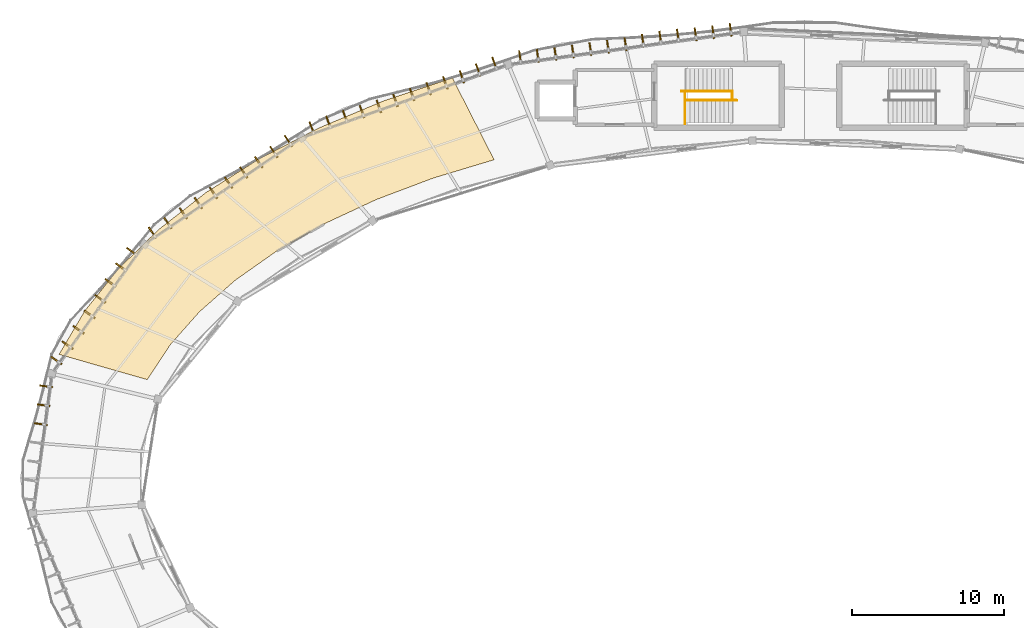
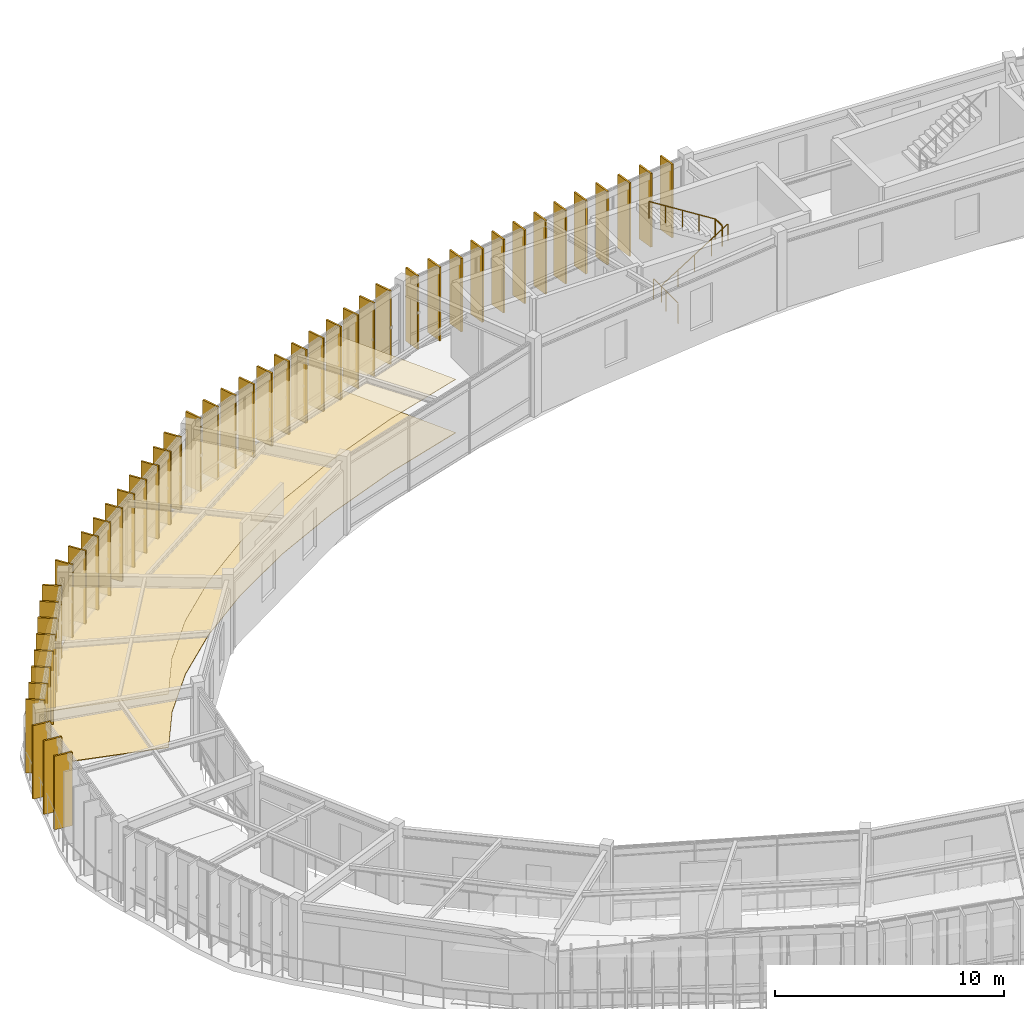
# One storey, part 76 of 78: 46 shading devices, 4 railings, 2 coverings.
"""IFC4 building model written with IfcOpenShell, lengths in metres."""

import ifcopenshell
import ifcopenshell.guid

model = None  # the IFC model being written
_history = None  # IfcOwnerHistory: only IFC2X3 demands one
_inside = {}  # id of a spatial element -> (the spatial element, [elements in it])
_under = {}  # id of a project, library or spatial element -> (it, [spatial elements below it])
_declared = {}  # id of a project -> (the project, [libraries it declares])
_typed = {}  # id of a type object -> (the type object, [elements of that type])
_made_of = {}  # id of a material, layer set ... -> (it, [elements and type objects made of it])


def new_model(schema):
    """Start an empty IFC model of exactly this schema.

    Asked for "IFC4X3", IfcOpenShell would pick the latest addendum, in which some entities
    have other attributes; the version numbers below select the first issue.
    IFC2X3 requires an IfcOwnerHistory on every rooted entity: one is made here for all.
    """
    global model, _history
    if schema == "IFC4X3":
        model = ifcopenshell.file(schema_version=(4, 3, 0, 0))
    else:
        model = ifcopenshell.file(schema=schema)
    _inside.clear()
    _under.clear()
    _declared.clear()
    _typed.clear()
    _made_of.clear()
    _history = None
    if model.schema == "IFC2X3":
        org = make("IfcOrganization", Name="unknown")
        user = make(
            "IfcPersonAndOrganization",
            ThePerson=make("IfcPerson", FamilyName="unknown"),
            TheOrganization=org,
        )
        app = make(
            "IfcApplication",
            ApplicationDeveloper=org,
            Version="unknown",
            ApplicationFullName="unknown",
            ApplicationIdentifier="unknown",
        )
        _history = make(
            "IfcOwnerHistory",
            OwningUser=user,
            OwningApplication=app,
            ChangeAction="ADDED",
            CreationDate=0,
        )
    return model


def make(cls, **values):
    """One entity of the class cls with the attributes given. An attribute that is None is left unset."""
    return model.create_entity(
        cls, **{name: value for name, value in values.items() if value is not None}
    )


def rooted(cls, **values):
    """An entity with a GlobalId (a new one), such as an element, a storey or a relation."""
    return make(cls, GlobalId=ifcopenshell.guid.new(), OwnerHistory=_history, **values)


def si_unit(unit_type, name, prefix=None):
    """IfcSIUnit, for example si_unit("LENGTHUNIT", "METRE", prefix="MILLI")."""
    return make("IfcSIUnit", UnitType=unit_type, Prefix=prefix, Name=name)


def assignment(units):
    """IfcUnitAssignment: the units of a project."""
    return None if units is None else make("IfcUnitAssignment", Units=units)


def point(xyz):
    """IfcCartesianPoint."""
    return None if xyz is None else make("IfcCartesianPoint", Coordinates=xyz)


def direction(xyz):
    """IfcDirection."""
    return None if xyz is None else make("IfcDirection", DirectionRatios=xyz)


def frame(location, z_axis=None, x_axis=None):
    """IfcAxis2Placement3D, a coordinate frame: its origin and axes. An axis left out is left unset."""
    return make(
        "IfcAxis2Placement3D",
        Location=point(location),
        Axis=direction(z_axis),
        RefDirection=direction(x_axis),
    )


def frame_2d(location, x_axis=None):
    """IfcAxis2Placement2D, a coordinate frame in the plane: its origin and x axis."""
    return make(
        "IfcAxis2Placement2D", Location=point(location), RefDirection=direction(x_axis)
    )


def origin():
    """The frame at (0, 0, 0) with its axes left unset."""
    return frame((0.0, 0.0, 0.0))


def origin_2d():
    """The frame at (0, 0) in the plane with its x axis left unset."""
    return frame_2d((0.0, 0.0))


def place(relative_to, where):
    """IfcLocalPlacement: puts the frame where relative to a parent placement (None: the world)."""
    return make(
        "IfcLocalPlacement", PlacementRelTo=relative_to, RelativePlacement=where
    )


def context(
    kind, dimensions, precision=None, world=None, true_north=None, identifier=None
):
    """IfcGeometricRepresentationContext, for example the 3D "Model" context."""
    return make(
        "IfcGeometricRepresentationContext",
        ContextIdentifier=identifier,
        ContextType=kind,
        CoordinateSpaceDimension=dimensions,
        Precision=precision,
        WorldCoordinateSystem=world,
        TrueNorth=true_north,
    )


def subcontext(parent, identifier, kind, view, scale=None):
    """IfcGeometricRepresentationSubContext, for example "Body" below "Model"."""
    return make(
        "IfcGeometricRepresentationSubContext",
        ContextIdentifier=identifier,
        ContextType=kind,
        ParentContext=parent,
        TargetScale=scale,
        TargetView=view,
    )


def project(units=None, contexts=None):
    """IfcProject with its units and contexts."""
    return rooted(
        "IfcProject",
        Name="project",
        RepresentationContexts=contexts,
        UnitsInContext=assignment(units),
    )


def spatial(cls, under=None, at=None, **own):
    """A site, building, storey or space (cls), placed at a placement, below another one or the project."""
    s = rooted(cls, ObjectPlacement=at, **own)
    if under is not None:
        _under.setdefault(under.id(), (under, []))[1].append(s)
    return s


def polyline(points):
    """IfcPolyline through the points."""
    return make("IfcPolyline", Points=[point(p) for p in points])


def profile(cls, at=None, kind="AREA", **sizes):
    """A parametric profile (cls). Its sizes go by their IFC names, for example OverallWidth=200.0."""
    return make(cls, ProfileType=kind, Position=at, **sizes)


def rectangle(**sizes):
    """IfcRectangleProfileDef."""
    return profile("IfcRectangleProfileDef", **sizes)


def circle(**sizes):
    """IfcCircleProfileDef."""
    return profile("IfcCircleProfileDef", **sizes)


def outline(outer, holes=None, kind="AREA"):
    """IfcArbitraryClosedProfileDef: a profile drawn as a closed curve; with holes, ...WithVoids."""
    if holes is None:
        return make("IfcArbitraryClosedProfileDef", ProfileType=kind, OuterCurve=outer)
    return make(
        "IfcArbitraryProfileDefWithVoids",
        ProfileType=kind,
        OuterCurve=outer,
        InnerCurves=holes,
    )


def extrude(swept, where, along, depth):
    """IfcExtrudedAreaSolid: the profile swept, set in the frame where, extruded along a direction by depth."""
    return make(
        "IfcExtrudedAreaSolid",
        SweptArea=swept,
        Position=where,
        ExtrudedDirection=direction(along),
        Depth=depth,
    )


def shape(context_of_items, identifier, shape_type, items):
    """IfcShapeRepresentation: the items that make up one representation, for example the "Body"."""
    return make(
        "IfcShapeRepresentation",
        ContextOfItems=context_of_items,
        RepresentationIdentifier=identifier,
        RepresentationType=shape_type,
        Items=items,
    )


def material(Name=None, Category=None):
    """IfcMaterial."""
    return make("IfcMaterial", Name=Name, Category=Category)


def layer(
    of_material, thickness, ventilated=None, Name=None, Category=None, Priority=None
):
    """IfcMaterialLayer: one layer of a wall or slab, of a material (None: an air gap)."""
    return make(
        "IfcMaterialLayer",
        Material=of_material,
        LayerThickness=thickness,
        IsVentilated=ventilated,
        Name=Name,
        Category=Category,
        Priority=Priority,
    )


def layer_set(layers, Name=None):
    """IfcMaterialLayerSet."""
    return make("IfcMaterialLayerSet", MaterialLayers=layers, LayerSetName=Name)


def made_of(thing, what):
    """Note that an element or type object is made of a material, layer set ...; save() writes the relation."""
    if what is not None:
        _made_of.setdefault(what.id(), (what, []))[1].append(thing)
    return thing


def type_object(cls, material=None, **own):
    """A type object (cls), such as IfcWallType, which elements share."""
    return made_of(rooted(cls, **own), material)


def element(
    cls,
    number,
    at=None,
    inside=None,
    cuts=None,
    type_object=None,
    material=None,
    context=None,
    identifier="Body",
    shape_type=None,
    held_by="IfcProductDefinitionShape",
    body=None,
    shapes=None,
    **own,
):
    """One element of the class cls, such as IfcWall. Its Tag is "e" and its number.

    at: its placement. inside: the storey or other place that contains it. cuts: it is an
    opening in that element (IfcRelVoidsElement). A single representation is given by context,
    identifier, shape_type and body (its items); several are given by shapes. held_by: the class
    of the entity that holds the representations. save() writes the other relations.
    """
    e = rooted(cls, Tag="e%d" % number, ObjectPlacement=at, **own)
    if body is not None:
        shapes = [shape(context, identifier, shape_type, body)]
    if shapes is not None:
        e.Representation = make(held_by, Representations=shapes)
    if inside is not None:
        _inside.setdefault(inside.id(), (inside, []))[1].append(e)
    if cuts is not None:
        rooted(
            "IfcRelVoidsElement", RelatingBuildingElement=cuts, RelatedOpeningElement=e
        )
    if type_object is not None:
        _typed.setdefault(type_object.id(), (type_object, []))[1].append(e)
    return made_of(e, material)


def aggregate(whole, parts):
    """IfcRelAggregates: a whole, such as a stair, and the parts it consists of."""
    return rooted("IfcRelAggregates", RelatingObject=whole, RelatedObjects=parts)


def save(model, path):
    """Write the relations noted so far, then the file.

    IfcRelAggregates (storeys below a building ...), IfcRelContainedInSpatialStructure (elements
    in a storey), IfcRelDefinesByType, IfcRelAssociatesMaterial and IfcRelDeclares: one each for
    every whole, place, type object, material and project.
    """
    for whole, parts in _under.values():
        aggregate(whole, parts)
    for where, things in _inside.values():
        rooted(
            "IfcRelContainedInSpatialStructure",
            RelatedElements=things,
            RelatingStructure=where,
        )
    for kind, things in _typed.values():
        rooted("IfcRelDefinesByType", RelatedObjects=things, RelatingType=kind)
    for what, things in _made_of.values():
        rooted("IfcRelAssociatesMaterial", RelatedObjects=things, RelatingMaterial=what)
    for by, libraries in _declared.values():
        rooted("IfcRelDeclares", RelatingContext=by, RelatedDefinitions=libraries)
    model.write(path)


model = new_model("IFC4")

# Units and contexts
model_context = context("Model", 3, precision=1e-05, world=origin(), true_north=direction((0.0, 1.0)))
body_context = subcontext(model_context, "Body", "Model", "MODEL_VIEW")
ifc_project = project(units=[si_unit("LENGTHUNIT", "METRE"), si_unit("AREAUNIT", "SQUARE_METRE"), si_unit("VOLUMEUNIT", "CUBIC_METRE"), si_unit("PLANEANGLEUNIT", "RADIAN"), si_unit("MASSUNIT", "GRAM", prefix="KILO"), si_unit("THERMODYNAMICTEMPERATUREUNIT", "KELVIN"), si_unit("POWERUNIT", "WATT")], contexts=[model_context])

# Site, building, storey
site_placement = place(None, origin())
site = spatial("IfcSite", under=ifc_project, at=site_placement, CompositionType="ELEMENT")
building_placement = place(site_placement, origin())
building = spatial("IfcBuilding", under=site, at=building_placement, Name="Darbajah Civic Hall", CompositionType="ELEMENT")
storey_placement = place(building_placement, frame((0.0, 0.0, 26.39990234375)))
storey = spatial("IfcBuildingStorey", under=building, at=storey_placement, Name="L06", CompositionType="ELEMENT", Elevation=26.39990234375)

# Railings
ifc_material_1 = material(Name="Brushed Bronze Stainless Steel", Category="steel")
railing_type_1 = type_object("IfcRailingType", Name="Brushed Bronze Handrail", PredefinedType="HANDRAIL", material=ifc_material_1)
railing_1_placement = place(storey_placement, frame((81.280029296875, 114.699951171875, 0.175048828125)))
element("IfcRailing", 1, at=railing_1_placement, inside=storey, type_object=railing_type_1, Name="ST01 L06 lower flight handrail", PredefinedType="HANDRAIL", context=body_context, shape_type="SweptSolid", body=[
    extrude(circle(Radius=0.02392578125, at=origin_2d()), frame((0.023193359375, 0.0, 0.910400390625), z_axis=(0.845926808262, 0.0, 0.533299010935), x_axis=(0.0, 1.0, 0.0)), (0.0, 0.0, 1.0), 3.917236328125),
    extrude(circle(Radius=0.02099609375, at=origin_2d()), origin(), (0.0, 0.0, 1.0), 0.867919921875),
    extrude(circle(Radius=0.02099609375, at=origin_2d()), frame((0.83984375, 0.0, 0.529541015625)), (0.0, 0.0, 1.0), 0.867919921875),
    extrude(circle(Radius=0.02099609375, at=origin_2d()), frame((1.679931640625, 0.0, 1.05908203125)), (0.0, 0.0, 1.0), 0.867919921875),
    extrude(circle(Radius=0.02099609375, at=origin_2d()), frame((2.52001953125, 0.0, 1.588623046875)), (0.0, 0.0, 1.0), 0.867919921875),
    extrude(circle(Radius=0.02099609375, at=origin_2d()), frame((3.35986328125, 0.0, 2.1181640625)), (0.0, 0.0, 1.0), 0.867919921875),
])
railing_2_placement = place(storey_placement, frame((84.360107421875, 115.300048828125, 2.275146484375)))
element("IfcRailing", 2, at=railing_2_placement, inside=storey, type_object=railing_type_1, Name="ST01 L06 upper flight handrail", PredefinedType="HANDRAIL", context=body_context, shape_type="SweptSolid", body=[
    extrude(circle(Radius=0.02392578125, at=origin_2d()), frame((-0.023193359375, 0.0, 0.910400390625), z_axis=(-0.845944288966, 0.0, 0.533271281775), x_axis=(0.0, -1.0, 0.0)), (0.0, 0.0, 1.0), 3.91748046875),
    extrude(circle(Radius=0.02099609375, at=origin_2d()), origin(), (0.0, 0.0, 1.0), 0.867919921875),
    extrude(circle(Radius=0.02099609375, at=origin_2d()), frame((-0.840087890625, 0.0, 0.529541015625)), (0.0, 0.0, 1.0), 0.867919921875),
    extrude(circle(Radius=0.02099609375, at=origin_2d()), frame((-1.68017578125, 0.0, 1.05908203125)), (0.0, 0.0, 1.0), 0.867919921875),
    extrude(circle(Radius=0.02099609375, at=origin_2d()), frame((-2.52001953125, 0.0, 1.588623046875)), (0.0, 0.0, 1.0), 0.867919921875),
    extrude(circle(Radius=0.02099609375, at=origin_2d()), frame((-3.360107421875, 0.0, 2.1181640625)), (0.0, 0.0, 1.0), 0.867919921875),
])

# Covering
ifc_material_2 = material(Name="Honed Qatari Limestone Terrazzo", Category="masonry")
ifc_layer_1 = layer(ifc_material_2, 0.030029296875, Name="Honed Qatari Limestone Terrazzo")
ifc_layer_set_1 = layer_set([ifc_layer_1], Name="Honed Qatari Limestone Terrazzo")
covering_type_1 = type_object("IfcCoveringType", Name="Honed Qatari Limestone Terrazzo Flooring", PredefinedType="FLOORING", material=ifc_layer_set_1)
covering_1_placement = place(storey_placement, origin())
element("IfcCovering", 3, at=covering_1_placement, inside=storey, type_object=covering_type_1, Name="L06 stone terrazzo flooring L06-V1-04", PredefinedType="FLOORING", context=body_context, shape_type="SweptSolid", body=[
    extrude(outline(polyline([(65.901123046875, 116.173828125), (61.362548828125, 114.659912109375), (57.115234375, 112.884521484375), (53.2041015625, 110.866943359375), (49.669921875, 108.6279296875), (46.550048828125, 106.191162109375), (43.877197265625, 103.582275390625), (41.67919921875, 100.82861328125), (39.9794921875, 97.958984375), (45.795166015625, 96.291259765625), (47.293701171875, 98.57421875), (49.231201171875, 100.76513671875), (51.587890625, 102.8408203125), (54.33837890625, 104.779541015625), (57.4541015625, 106.56103515625), (60.902099609375, 108.166259765625), (64.646484375, 109.57861328125), (68.647705078125, 110.783203125), (65.901123046875, 116.173828125)])), origin(), (0.0, 0.0, 1.0), 0.030029296875),
])

# Railings
ifc_material_3 = material(Name="Brushed Bronze and Laminated Safety Glass", Category="glass")
railing_type_2 = type_object("IfcRailingType", Name="Interior Guard Balustrade", PredefinedType="BALUSTRADE", material=ifc_material_3)
railing_3_placement = place(storey_placement, frame((81.22998046875, 113.14990234375, 0.0)))
element("IfcRailing", 4, at=railing_3_placement, inside=storey, type_object=railing_type_2, Name="ST01 L06 stair-well edge guard", PredefinedType="BALUSTRADE", context=body_context, shape_type="SweptSolid", body=[
    extrude(circle(Radius=0.02392578125, at=origin_2d()), frame((0.0, 0.02734375, 1.09619140625), z_axis=(0.0, 1.0, 0.0), x_axis=(-1.0, 0.0, 0.0)), (0.0, 0.0, 1.0), 2.095458984375),
    extrude(circle(Radius=0.02099609375, at=origin_2d()), origin(), (0.0, 0.0, 1.0), 1.068115234375),
    extrude(circle(Radius=0.02099609375, at=origin_2d()), frame((0.0, 1.0751953125, 0.0)), (0.0, 0.0, 1.0), 1.068115234375),
    extrude(circle(Radius=0.02099609375, at=origin_2d()), frame((0.0, 2.150146484375, 0.0)), (0.0, 0.0, 1.0), 1.068115234375),
])
railing_4_placement = place(storey_placement, frame((84.340087890625, 114.699951171875, 2.10009765625)))
element("IfcRailing", 5, at=railing_4_placement, inside=storey, type_object=railing_type_2, Name="ST01 L06 landing well guard", PredefinedType="BALUSTRADE", context=body_context, shape_type="SweptSolid", body=[
    extrude(circle(Radius=0.02392578125, at=origin_2d()), frame((0.0, 0.02734375, 1.09619140625), z_axis=(0.0, 1.0, 0.0), x_axis=(-1.0, 0.0, 0.0)), (0.0, 0.0, 1.0), 0.54541015625),
    extrude(circle(Radius=0.02099609375, at=origin_2d()), origin(), (0.0, 0.0, 1.0), 1.068115234375),
    extrude(circle(Radius=0.02099609375, at=origin_2d()), frame((0.0, 0.60009765625, 0.0)), (0.0, 0.0, 1.0), 1.068115234375),
])

# Covering
ifc_material_4 = material(Name="Perforated Acoustic Gypsum Board")
ifc_layer_2 = layer(ifc_material_4, 0.02490234375, Name="Perforated Acoustic Gypsum Board")
ifc_layer_set_2 = layer_set([ifc_layer_2], Name="Perforated Acoustic Gypsum Board")
covering_type_2 = type_object("IfcCoveringType", Name="Perforated Acoustic Gypsum Ceiling", PredefinedType="CEILING", material=ifc_layer_set_2)
covering_2_placement = place(storey_placement, frame((0.0, 0.0, 2.85009765625)))
element("IfcCovering", 6, at=covering_2_placement, inside=storey, type_object=covering_type_2, Name="L06 acoustic suspended ceiling L06-V1-04", PredefinedType="CEILING", context=body_context, shape_type="SweptSolid", body=[
    extrude(outline(polyline([(65.901123046875, 116.173828125), (61.362548828125, 114.659912109375), (57.115234375, 112.884521484375), (53.2041015625, 110.866943359375), (49.669921875, 108.6279296875), (46.550048828125, 106.191162109375), (43.877197265625, 103.582275390625), (41.67919921875, 100.82861328125), (39.9794921875, 97.958984375), (45.795166015625, 96.291259765625), (47.293701171875, 98.57421875), (49.231201171875, 100.76513671875), (51.587890625, 102.8408203125), (54.33837890625, 104.779541015625), (57.4541015625, 106.56103515625), (60.902099609375, 108.166259765625), (64.646484375, 109.57861328125), (68.647705078125, 110.783203125), (65.901123046875, 116.173828125)])), origin(), (0.0, 0.0, 1.0), 0.02490234375),
])

# Shading devices
ifc_material_5 = material(Name="Bronze Anodised Aluminium and Teak Composite", Category="aluminium")
shading_device_type = type_object("IfcShadingDeviceType", Name="Vertical Bronze Timber Shading Fin", PredefinedType="USERDEFINED", material=ifc_material_5)
for number, where, z_axis, x_axis, name in (
    (7, (84.235107421875, 119.356689453125, 0.000244140625), (0.0, 0.0, 1.0), (-0.137617420457, 0.990485459553, 0.0), "L06 vertical shading fin VF-05-1"),
    (8, (83.079833984375, 119.1962890625, 0.000244140625), (0.0, 0.0, 1.0), (-0.137617420457, 0.990485459553, 0.0), "L06 vertical shading fin VF-05-2"),
    (9, (81.92333984375, 119.047119140625, 0.000244140625), (0.0, 0.0, 1.0), (-0.137617420457, 0.990485459553, 0.0), "L06 vertical shading fin VF-05-3"),
    (10, (80.755859375, 118.975830078125, 0.000244140625), (0.0, 0.0, 1.0), (-0.137617420457, 0.990485459553, 0.0), "L06 vertical shading fin VF-05-4"),
    (11, (79.5966796875, 118.8447265625, 0.000244140625), (0.0, 0.0, 1.0), (-0.137617420457, 0.990485459553, 0.0), "L06 vertical shading fin VF-05-5"),
    (12, (78.44775390625, 118.6396484375, 0.000244140625), (0.0, 0.0, 1.0), (-0.137617420457, 0.990485459553, 0.0), "L06 vertical shading fin VF-05-6"),
    (13, (77.304443359375, 118.394287109375, 0.000244140625), (0.0, 0.0, 1.0), (-0.137617420457, 0.990485459553, 0.0), "L06 vertical shading fin VF-05-7"),
    (14, (76.1494140625, 118.23388671875, 0.000244140625), (0.0, 0.0, 1.0), (-0.137617420457, 0.990485459553, 0.0), "L06 vertical shading fin VF-05-8"),
    (15, (74.994140625, 118.073486328125, 0.000244140625), (0.0, 0.0, 1.0), (-0.137617420457, 0.990485459553, 0.0), "L06 vertical shading fin VF-05-9"),
    (16, (73.839111328125, 117.9130859375, 0.000244140625), (0.0, 0.0, 1.0), (-0.137617420457, 0.990485459553, 0.0), "L06 vertical shading fin VF-05-10"),
    (17, (72.68408203125, 117.752685546875, 0.000244140625), (0.0, 0.0, 1.0), (-0.137617420457, 0.990485459553, 0.0), "L06 vertical shading fin VF-05-11"),
    (18, (71.523193359375, 117.63330078125, 0.000244140625), (0.0, 0.0, 1.0), (-0.137617420457, 0.990485459553, 0.0), "L06 vertical shading fin VF-05-12"),
    (19, (70.35888671875, 117.53955078125, 0.000244140625), (0.0, 0.0, 1.0), (-0.137617420457, 0.990485459553, 0.0), "L06 vertical shading fin VF-05-13"),
    (20, (68.668701171875, 117.142822265625, 0.000244140625), (0.0, 0.0, 1.0), (-0.334135882844, 0.94252491309, 0.0), "L06 vertical shading fin VF-06-1"),
    (21, (67.59228515625, 116.70458984375, 0.000244140625), (0.0, 0.0, 1.0), (-0.334135882844, 0.94252491309, 0.0), "L06 vertical shading fin VF-06-2"),
    (22, (66.521484375, 116.25048828125, 0.000244140625), (0.0, 0.0, 1.0), (-0.334135882844, 0.94252491309, 0.0), "L06 vertical shading fin VF-06-3"),
    (23, (65.427490234375, 115.862548828125, 0.000244140625), (0.0, 0.0, 1.0), (-0.334135882844, 0.94252491309, 0.0), "L06 vertical shading fin VF-06-4"),
    (24, (64.333251953125, 115.474609375, 0.000244140625), (0.0, 0.0, 1.0), (-0.334135882844, 0.94252491309, 0.0), "L06 vertical shading fin VF-06-5"),
    (25, (63.239013671875, 115.0869140625, 0.000244140625), (0.0, 0.0, 1.0), (-0.334135882844, 0.94252491309, 0.0), "L06 vertical shading fin VF-06-6"),
    (26, (62.14501953125, 114.69921875, 0.000244140625), (0.0, 0.0, 1.0), (-0.334135882844, 0.94252491309, 0.0), "L06 vertical shading fin VF-06-7"),
    (27, (61.05078125, 114.311279296875, 0.000244140625), (0.0, 0.0, 1.0), (-0.334135882844, 0.94252491309, 0.0), "L06 vertical shading fin VF-06-8"),
    (28, (59.94140625, 113.966552734375, 0.000244140625), (0.0, 0.0, 1.0), (-0.334135882844, 0.94252491309, 0.0), "L06 vertical shading fin VF-06-9"),
    (29, (58.828369140625, 113.631591796875, 0.000244140625), (0.0, 0.0, 1.0), (-0.334135882844, 0.94252491309, 0.0), "L06 vertical shading fin VF-06-10"),
    (30, (57.72509765625, 113.27001953125, 0.000244140625), (0.0, 0.0, 1.0), (-0.334135882844, 0.94252491309, 0.0), "L06 vertical shading fin VF-06-11"),
    (31, (56.632568359375, 112.877197265625, 0.000244140625), (0.0, 0.0, 1.0), (-0.334135882844, 0.94252491309, 0.0), "L06 vertical shading fin VF-06-12"),
    (32, (55.08837890625, 112.025146484375, 0.000244140625), (0.0, 0.0, 1.0), (-0.560783509816, 0.827962472047, 0.0), "L06 vertical shading fin VF-07-1"),
    (33, (54.12890625, 111.2998046875, 0.000244140625), (0.0, 0.0, 1.0), (-0.560783509816, 0.827962472047, 0.0), "L06 vertical shading fin VF-07-2"),
    (34, (53.134521484375, 110.626220703125, 0.000244140625), (0.0, 0.0, 1.0), (-0.560783509816, 0.827962472047, 0.0), "L06 vertical shading fin VF-07-3"),
    (35, (52.139892578125, 109.95263671875, 0.000244140625), (0.0, 0.0, 1.0), (-0.560783509816, 0.827962472047, 0.0), "L06 vertical shading fin VF-07-4"),
    (36, (51.1455078125, 109.279052734375, 0.000244140625), (0.0, 0.0, 1.0), (-0.560783509816, 0.827962472047, 0.0), "L06 vertical shading fin VF-07-5"),
    (37, (50.15087890625, 108.60546875, 0.000244140625), (0.0, 0.0, 1.0), (-0.560783509816, 0.827962472047, 0.0), "L06 vertical shading fin VF-07-6"),
    (38, (49.156494140625, 107.931884765625, 0.000244140625), (0.0, 0.0, 1.0), (-0.560783509816, 0.827962472047, 0.0), "L06 vertical shading fin VF-07-7"),
    (39, (48.161865234375, 107.25830078125, 0.000244140625), (0.0, 0.0, 1.0), (-0.560783509816, 0.827962472047, 0.0), "L06 vertical shading fin VF-07-8"),
    (40, (47.147216796875, 106.614501953125, 0.000244140625), (0.0, 0.0, 1.0), (-0.560783509816, 0.827962472047, 0.0), "L06 vertical shading fin VF-07-9"),
    (41, (46.123779296875, 105.9833984375, 0.000244140625), (0.0, 0.0, 1.0), (-0.560783509816, 0.827962472047, 0.0), "L06 vertical shading fin VF-07-10"),
    (42, (44.78466796875, 104.731201171875, 0.000244140625), (0.0, 0.0, 1.0), (-0.812999149039, 0.582264874145, 0.0), "L06 vertical shading fin VF-08-1"),
    (43, (44.06298828125, 103.712890625, 0.000244140625), (0.0, 0.0, 1.0), (-0.812999149039, 0.582264874145, 0.0), "L06 vertical shading fin VF-08-2"),
    (44, (43.3671875, 102.67626953125, 0.000244140625), (0.0, 0.0, 1.0), (-0.812999149039, 0.582264874145, 0.0), "L06 vertical shading fin VF-08-3"),
    (45, (42.6884765625, 101.627197265625, 0.000244140625), (0.0, 0.0, 1.0), (-0.812999149039, 0.582264874145, 0.0), "L06 vertical shading fin VF-08-4"),
    (46, (41.9833984375, 100.59716796875, 0.000244140625), (0.0, 0.0, 1.0), (-0.812999149039, 0.582264874145, 0.0), "L06 vertical shading fin VF-08-5"),
    (47, (41.2568359375, 99.58251953125, 0.000244140625), (0.0, 0.0, 1.0), (-0.812999149039, 0.582264874145, 0.0), "L06 vertical shading fin VF-08-6"),
    (48, (40.5302734375, 98.56787109375, 0.000244140625), (0.0, 0.0, 1.0), (-0.812999149039, 0.582264874145, 0.0), "L06 vertical shading fin VF-08-7"),
    (49, (39.8037109375, 97.552978515625, 0.000244140625), (0.0, 0.0, 1.0), (-0.812999149039, 0.582264874145, 0.0), "L06 vertical shading fin VF-08-8"),
    (50, (39.1279296875, 95.85107421875, 0.000244140625), (0.0, 0.0, 1.0), (-0.990865897387, 0.134850930274, 0.0), "L06 vertical shading fin VF-09-1"),
    (51, (38.958740234375, 94.60791015625, 0.000244140625), (0.0, 0.0, 1.0), (-0.990865897387, 0.134850930274, 0.0), "L06 vertical shading fin VF-09-2"),
    (52, (38.772705078125, 93.3671875, 0.000244140625), (0.0, 0.0, 1.0), (-0.990865897387, 0.134850930274, 0.0), "L06 vertical shading fin VF-09-3"),
):
    element("IfcShadingDevice", number, at=place(storey_placement, frame(where, z_axis=z_axis, x_axis=x_axis)), inside=storey, type_object=shading_device_type, Name=name, ObjectType="VERTICAL FIN", PredefinedType="USERDEFINED", context=body_context, shape_type="SweptSolid", body=[
        extrude(rectangle(XDim=0.85009765625, YDim=0.090087890625, at=origin_2d()), origin(), (0.0, 0.0, 1.0), 3.919921875),
    ])

save(model, "model.ifc")
